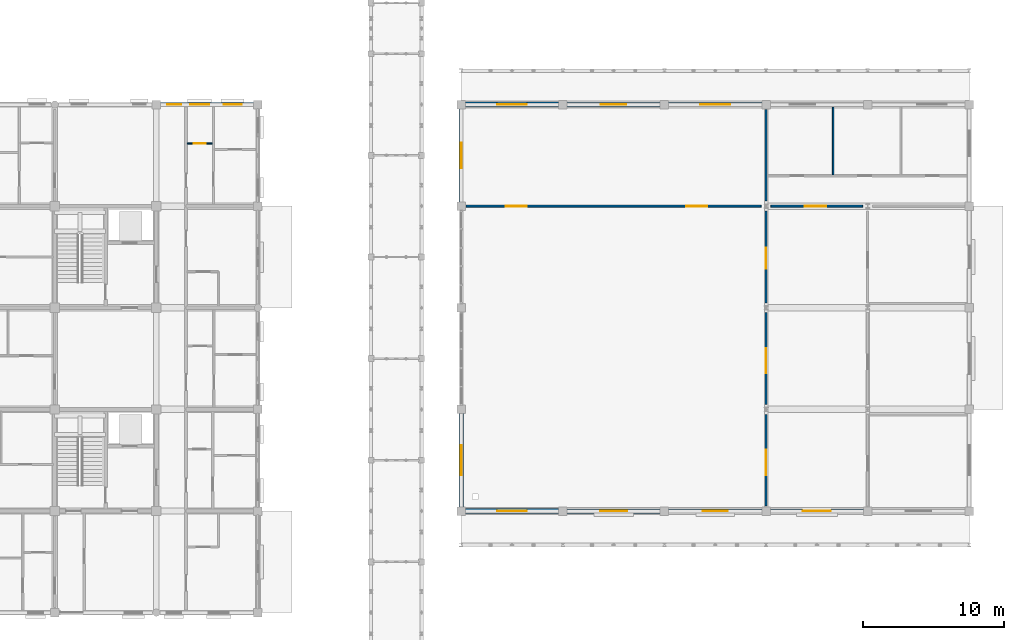
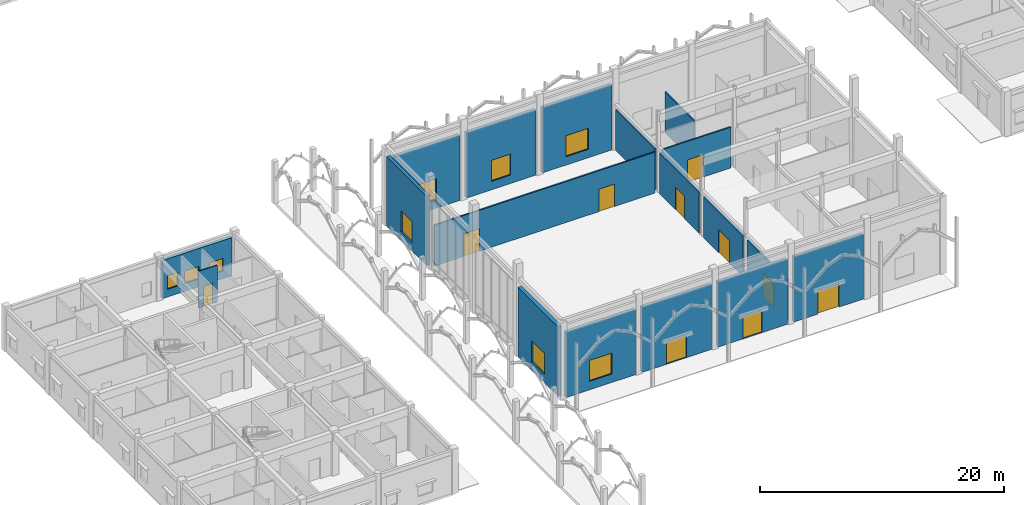
# One storey, part 108 of 138: 18 walls, 10 doors, 9 windows, 19 openings.
"""IFC4 building model written with IfcOpenShell, lengths in metres."""

from ifc_helpers import new_model, si_unit, direction, frame, frame_2d, origin, place, context, subcontext, project, spatial, rectangle, extrude, material, layer, layer_set, type_object, element, fill, save


model = new_model("IFC4")

# Units and contexts
model_context = context("Model", 3, precision=1e-05, world=origin(), true_north=direction((0.0, 1.0)))
body_context = subcontext(model_context, "Body", "Model", "MODEL_VIEW")
ifc_project = project(units=[si_unit("LENGTHUNIT", "METRE"), si_unit("AREAUNIT", "SQUARE_METRE"), si_unit("VOLUMEUNIT", "CUBIC_METRE"), si_unit("PLANEANGLEUNIT", "RADIAN"), si_unit("MASSUNIT", "GRAM", prefix="KILO"), si_unit("THERMODYNAMICTEMPERATUREUNIT", "KELVIN"), si_unit("POWERUNIT", "WATT")], contexts=[model_context])

# Site, building, storey
site_placement = place(None, origin())
site = spatial("IfcSite", under=ifc_project, at=site_placement, CompositionType="ELEMENT")
building_placement = place(site_placement, origin())
building = spatial("IfcBuilding", under=site, at=building_placement, Name="Tavuni Mirador Residences", CompositionType="ELEMENT")
storey_placement = place(building_placement, origin())
storey = spatial("IfcBuildingStorey", under=building, at=storey_placement, Name="L00", CompositionType="ELEMENT", Elevation=0.0)

# Wall, opening, window
ifc_material_1 = material(Name="Precast concrete C40/50", Category="concrete")
ifc_layer_1 = layer(ifc_material_1, 0.330078125, Name="Precast concrete C40/50", Category="concrete")
ifc_layer_set_1 = layer_set([ifc_layer_1], Name="Precast concrete C40/50")
wall_type_1 = type_object("IfcWallType", Name="WT-EXT-COR330", PredefinedType="SOLIDWALL", material=ifc_layer_set_1)
wall_1_placement = place(storey_placement, frame((39.89990234375, 72.0, 0.0), z_axis=(0.0, 0.0, 1.0), x_axis=(1.0, 0.0, 0.0)))
wall_1 = element("IfcWall", 1, at=wall_1_placement, inside=storey, type_object=wall_type_1, Name="EW-PAV-HALL-L00-S00", PredefinedType="SOLIDWALL", context=body_context, shape_type="SweptSolid", body=[
    extrude(rectangle(XDim=6.60009765625, YDim=0.330078125, at=frame_2d((3.300048828125, 0.0))), origin(), (0.0, 0.0, 1.0), 6.52490234375),
])
opening_1_placement = place(wall_1_placement, frame((2.25, 0.0, 0.85009765625)))
opening_1 = element("IfcOpeningElement", 2, at=opening_1_placement, cuts=wall_1, Name="Opening WN-32", PredefinedType="OPENING", context=body_context, shape_type="SweptSolid", body=[
    extrude(rectangle(XDim=2.10009765625, YDim=2.10009765625, at=frame_2d((1.050048828125, 1.050048828125))), frame((0.0, 0.175048828125, 0.0), z_axis=(0.0, -1.0, 0.0), x_axis=(1.0, 0.0, 0.0)), (0.0, 0.0, 1.0), 0.35009765625),
])
ifc_material_2 = material(Name="Laminated solar-control glass", Category="glass")
window_type_1 = type_object("IfcWindowType", Name="WNT-32", PartitioningType="SINGLE_PANEL", PredefinedType="WINDOW", material=ifc_material_2)
window_1_placement = place(opening_1_placement, origin())
window_1 = element("IfcWindow", 3, at=window_1_placement, inside=storey, type_object=window_type_1, Name="WIN-1829", OverallHeight=2.10009765625, OverallWidth=2.10009765625, PartitioningType="SINGLE_PANEL", PredefinedType="WINDOW", context=body_context, shape_type="SweptSolid", body=[
    extrude(rectangle(XDim=2.10009765625, YDim=2.10009765625, at=frame_2d((1.050048828125, 1.050048828125))), frame((0.0, 0.030029296875, 0.0), z_axis=(0.0, -1.0, 0.0), x_axis=(1.0, 0.0, 0.0)), (0.0, 0.0, 1.0), 0.06005859375),
])
fill(opening_1, window_1)

wall_2_placement = place(storey_placement, frame((46.5, 100.800048828125, 0.0), z_axis=(0.0, 0.0, 1.0), x_axis=(-1.0, 0.0, 0.0)))
wall_2 = element("IfcWall", 4, at=wall_2_placement, inside=storey, type_object=wall_type_1, Name="EW-PAV-HALL-L00-N00", PredefinedType="SOLIDWALL", context=body_context, shape_type="SweptSolid", body=[
    extrude(rectangle(XDim=6.60009765625, YDim=0.330078125, at=frame_2d((3.300048828125, 0.0))), origin(), (0.0, 0.0, 1.0), 6.52490234375),
])
opening_2_placement = place(wall_2_placement, frame((2.25, 0.0, 0.85009765625)))
opening_2 = element("IfcOpeningElement", 5, at=opening_2_placement, cuts=wall_2, Name="Opening WN-32", PredefinedType="OPENING", context=body_context, shape_type="SweptSolid", body=[
    extrude(rectangle(XDim=2.10009765625, YDim=2.10009765625, at=frame_2d((1.050048828125, 1.050048828125))), frame((0.0, 0.175048828125, 0.0), z_axis=(0.0, -1.0, 0.0), x_axis=(1.0, 0.0, 0.0)), (0.0, 0.0, 1.0), 0.35009765625),
])
window_2_placement = place(opening_2_placement, origin())
window_2 = element("IfcWindow", 6, at=window_2_placement, inside=storey, type_object=window_type_1, Name="WIN-1837", OverallHeight=2.10009765625, OverallWidth=2.10009765625, PartitioningType="SINGLE_PANEL", PredefinedType="WINDOW", context=body_context, shape_type="SweptSolid", body=[
    extrude(rectangle(XDim=2.10009765625, YDim=2.10009765625, at=frame_2d((1.050048828125, 1.050048828125))), frame((0.0, 0.030029296875, 0.0), z_axis=(0.0, -1.0, 0.0), x_axis=(1.0, 0.0, 0.0)), (0.0, 0.0, 1.0), 0.06005859375),
])
fill(opening_2, window_2)

wall_3_placement = place(storey_placement, frame((39.60009765625, 78.89990234375, 0.0), z_axis=(0.0, 0.0, 1.0), x_axis=(0.0, -1.0, 0.0)))
wall_3 = element("IfcWall", 7, at=wall_3_placement, inside=storey, type_object=wall_type_1, Name="EW-PAV-HALL-L00-W00", PredefinedType="SOLIDWALL", context=body_context, shape_type="SweptSolid", body=[
    extrude(rectangle(XDim=6.599853515625, YDim=0.330078125, at=frame_2d((3.2998046875, 0.0))), origin(), (0.0, 0.0, 1.0), 6.949951171875),
])
opening_3_placement = place(wall_3_placement, frame((2.25, 0.0, 0.85009765625)))
opening_3 = element("IfcOpeningElement", 8, at=opening_3_placement, cuts=wall_3, Name="Opening WN-32", PredefinedType="OPENING", context=body_context, shape_type="SweptSolid", body=[
    extrude(rectangle(XDim=2.10009765625, YDim=2.10009765625, at=frame_2d((1.050048828125, 1.050048828125))), frame((0.0, 0.175048828125, 0.0), z_axis=(0.0, -1.0, 0.0), x_axis=(1.0, 0.0, 0.0)), (0.0, 0.0, 1.0), 0.35009765625),
])
window_3_placement = place(opening_3_placement, origin())
window_3 = element("IfcWindow", 9, at=window_3_placement, inside=storey, type_object=window_type_1, Name="WIN-1839", OverallHeight=2.10009765625, OverallWidth=2.10009765625, PartitioningType="SINGLE_PANEL", PredefinedType="WINDOW", context=body_context, shape_type="SweptSolid", body=[
    extrude(rectangle(XDim=2.10009765625, YDim=2.10009765625, at=frame_2d((1.050048828125, 1.050048828125))), frame((0.0, 0.030029296875, 0.0), z_axis=(0.0, -1.0, 0.0), x_axis=(1.0, 0.0, 0.0)), (0.0, 0.0, 1.0), 0.06005859375),
])
fill(opening_3, window_3)

# Wall, opening, door
ifc_material_3 = material(Name="Sgraffito lime-rendered precast concrete C40/50", Category="concrete")
ifc_layer_2 = layer(ifc_material_3, 0.2900390625, Name="Sgraffito lime-rendered precast concrete C40/50", Category="concrete")
ifc_layer_set_2 = layer_set([ifc_layer_2], Name="Sgraffito lime-rendered precast concrete C40/50")
wall_type_2 = type_object("IfcWallType", Name="WT-EXT-PC290", PredefinedType="SOLIDWALL", material=ifc_layer_set_2)
wall_4_placement = place(storey_placement, frame((61.5, 72.0, 0.0), z_axis=(0.0, 0.0, 1.0), x_axis=(1.0, 0.0, 0.0)))
wall_4 = element("IfcWall", 10, at=wall_4_placement, inside=storey, type_object=wall_type_2, Name="EW-PAV-HALL-L00-S03", PredefinedType="SOLIDWALL", context=body_context, shape_type="SweptSolid", body=[
    extrude(rectangle(XDim=6.60009765625, YDim=0.2900390625, at=frame_2d((3.300048828125, 0.0))), origin(), (0.0, 0.0, 1.0), 6.52490234375),
])
opening_4_placement = place(wall_4_placement, frame((2.300048828125, 0.0, 0.0)))
opening_4 = element("IfcOpeningElement", 11, at=opening_4_placement, cuts=wall_4, Name="Opening EX-03", PredefinedType="OPENING", context=body_context, shape_type="SweptSolid", body=[
    extrude(rectangle(XDim=2.0, YDim=2.300048828125, at=frame_2d((1.0, 1.14990234375))), frame((0.0, 0.155029296875, 0.0), z_axis=(0.0, -1.0, 0.0), x_axis=(1.0, 0.0, 0.0)), (0.0, 0.0, 1.0), 0.31005859375),
])
ifc_material_4 = material(Name="Anodised aluminium", Category="aluminium")
door_type_1 = type_object("IfcDoorType", Name="DT-EX2000", OperationType="DOUBLE_DOOR_SINGLE_SWING", PredefinedType="DOOR", material=ifc_material_4)
door_1_placement = place(opening_4_placement, frame((2.0, 0.0, 0.0), z_axis=(0.0, 0.0, 1.0), x_axis=(-1.0, 0.0, 0.0)))
door_1 = element("IfcDoor", 12, at=door_1_placement, inside=storey, type_object=door_type_1, Name="Final exit door EX-022", OperationType="DOUBLE_DOOR_SINGLE_SWING", OverallHeight=2.300048828125, OverallWidth=2.0, PredefinedType="DOOR", context=body_context, shape_type="SweptSolid", body=[
    extrude(rectangle(XDim=2.0, YDim=2.300048828125, at=frame_2d((1.0, 1.14990234375))), frame((0.0, 0.02490234375, 0.0), z_axis=(0.0, -1.0, 0.0), x_axis=(1.0, 0.0, 0.0)), (0.0, 0.0, 1.0), 0.050048828125),
])
fill(opening_4, door_1)

# Wall, opening, window
wall_5_placement = place(storey_placement, frame((39.60009765625, 100.5, 0.0), z_axis=(0.0, 0.0, 1.0), x_axis=(0.0, -1.0, 0.0)))
wall_5 = element("IfcWall", 13, at=wall_5_placement, inside=storey, type_object=wall_type_2, Name="EW-PAV-HALL-L00-W03", PredefinedType="SOLIDWALL", context=body_context, shape_type="SweptSolid", body=[
    extrude(rectangle(XDim=6.60009765625, YDim=0.2900390625, at=frame_2d((3.300048828125, 0.0))), origin(), (0.0, 0.0, 1.0), 6.949951171875),
])
opening_5_placement = place(wall_5_placement, frame((2.39990234375, 0.0, 0.85009765625)))
opening_5 = element("IfcOpeningElement", 14, at=opening_5_placement, cuts=wall_5, Name="Opening WN-31", PredefinedType="OPENING", context=body_context, shape_type="SweptSolid", body=[
    extrude(rectangle(XDim=1.800048828125, YDim=2.10009765625, at=frame_2d((0.89990234375, 1.050048828125))), frame((0.0, 0.155029296875, 0.0), z_axis=(0.0, -1.0, 0.0), x_axis=(1.0, 0.0, 0.0)), (0.0, 0.0, 1.0), 0.31005859375),
])
window_type_2 = type_object("IfcWindowType", Name="WNT-31", PartitioningType="SINGLE_PANEL", PredefinedType="WINDOW", material=ifc_material_2)
window_4_placement = place(opening_5_placement, origin())
window_4 = element("IfcWindow", 15, at=window_4_placement, inside=storey, type_object=window_type_2, Name="WIN-1838", OverallHeight=2.10009765625, OverallWidth=1.800048828125, PartitioningType="SINGLE_PANEL", PredefinedType="WINDOW", context=body_context, shape_type="SweptSolid", body=[
    extrude(rectangle(XDim=1.800048828125, YDim=2.10009765625, at=frame_2d((0.89990234375, 1.050048828125))), frame((0.0, 0.030029296875, 0.0), z_axis=(0.0, -1.0, 0.0), x_axis=(1.0, 0.0, 0.0)), (0.0, 0.0, 1.0), 0.06005859375),
])
fill(opening_5, window_4)

# Wall, openings, windows
ifc_layer_3 = layer(ifc_material_3, 0.304931640625, Name="Sgraffito lime-rendered precast concrete C40/50", Category="concrete")
ifc_layer_set_3 = layer_set([ifc_layer_3], Name="Sgraffito lime-rendered precast concrete C40/50")
wall_type_3 = type_object("IfcWallType", Name="WT-EXT-PC305", PredefinedType="SOLIDWALL", material=ifc_layer_set_3)
wall_6_placement = place(storey_placement, frame((24.89990234375, 100.800048828125, 0.0), z_axis=(0.0, 0.0, 1.0), x_axis=(-1.0, 0.0, 0.0)))
wall_6 = element("IfcWall", 16, at=wall_6_placement, inside=storey, type_object=wall_type_3, Name="EW-BLK-B-L00-N02", PredefinedType="SOLIDWALL", context=body_context, shape_type="SweptSolid", body=[
    extrude(rectangle(XDim=6.599853515625, YDim=0.304931640625, at=frame_2d((3.2998046875, 0.0))), origin(), (0.0, 0.0, 1.0), 3.830078125),
])
opening_6_placement = place(wall_6_placement, frame((0.860107421875, 0.0, 0.780029296875)))
opening_6 = element("IfcOpeningElement", 17, at=opening_6_placement, cuts=wall_6, Name="Opening WN-14", PredefinedType="OPENING", context=body_context, shape_type="SweptSolid", body=[
    extrude(rectangle(XDim=1.280029296875, YDim=1.260009765625, at=frame_2d((0.64013671875, 0.6298828125))), frame((0.0, 0.16259765625, 0.0), z_axis=(0.0, -1.0, 0.0), x_axis=(1.0, 0.0, 0.0)), (0.0, 0.0, 1.0), 0.324951171875),
])
opening_7_placement = place(wall_6_placement, frame((3.14990234375, 0.0, 0.780029296875)))
opening_7 = element("IfcOpeningElement", 18, at=opening_7_placement, cuts=wall_6, Name="Opening WN-15", PredefinedType="OPENING", context=body_context, shape_type="SweptSolid", body=[
    extrude(rectangle(XDim=1.360107421875, YDim=1.260009765625, at=frame_2d((0.68017578125, 0.6298828125))), frame((0.0, 0.16259765625, 0.0), z_axis=(0.0, -1.0, 0.0), x_axis=(1.0, 0.0, 0.0)), (0.0, 0.0, 1.0), 0.324951171875),
])
opening_8_placement = place(wall_6_placement, frame((5.139892578125, 0.0, 0.780029296875)))
opening_8 = element("IfcOpeningElement", 19, at=opening_8_placement, cuts=wall_6, Name="Opening WN-18", PredefinedType="OPENING", context=body_context, shape_type="SweptSolid", body=[
    extrude(rectangle(XDim=0.97998046875, YDim=1.360107421875, at=frame_2d((0.489990234375, 0.68017578125))), frame((0.0, 0.16259765625, 0.0), z_axis=(0.0, -1.0, 0.0), x_axis=(1.0, 0.0, 0.0)), (0.0, 0.0, 1.0), 0.324951171875),
])
window_type_3 = type_object("IfcWindowType", Name="WNT-14", PartitioningType="SINGLE_PANEL", PredefinedType="WINDOW", material=ifc_material_2)
window_5_placement = place(opening_6_placement, origin())
window_5 = element("IfcWindow", 20, at=window_5_placement, inside=storey, type_object=window_type_3, Name="WIN-0553", OverallHeight=1.260009765625, OverallWidth=1.280029296875, PartitioningType="SINGLE_PANEL", PredefinedType="WINDOW", context=body_context, shape_type="SweptSolid", body=[
    extrude(rectangle(XDim=1.280029296875, YDim=1.260009765625, at=frame_2d((0.64013671875, 0.6298828125))), frame((0.0, 0.030029296875, 0.0), z_axis=(0.0, -1.0, 0.0), x_axis=(1.0, 0.0, 0.0)), (0.0, 0.0, 1.0), 0.06005859375),
])
fill(opening_6, window_5)
window_type_4 = type_object("IfcWindowType", Name="WNT-15", PartitioningType="SINGLE_PANEL", PredefinedType="WINDOW", material=ifc_material_2)
window_6_placement = place(opening_7_placement, origin())
window_6 = element("IfcWindow", 21, at=window_6_placement, inside=storey, type_object=window_type_4, Name="WIN-0554", OverallHeight=1.260009765625, OverallWidth=1.360107421875, PartitioningType="SINGLE_PANEL", PredefinedType="WINDOW", context=body_context, shape_type="SweptSolid", body=[
    extrude(rectangle(XDim=1.360107421875, YDim=1.260009765625, at=frame_2d((0.68017578125, 0.6298828125))), frame((0.0, 0.030029296875, 0.0), z_axis=(0.0, -1.0, 0.0), x_axis=(1.0, 0.0, 0.0)), (0.0, 0.0, 1.0), 0.06005859375),
])
fill(opening_7, window_6)
window_type_5 = type_object("IfcWindowType", Name="WNT-18", PartitioningType="SINGLE_PANEL", PredefinedType="WINDOW", material=ifc_material_2)
window_7_placement = place(opening_8_placement, origin())
window_7 = element("IfcWindow", 22, at=window_7_placement, inside=storey, type_object=window_type_5, Name="WIN-0555", OverallHeight=1.360107421875, OverallWidth=0.97998046875, PartitioningType="SINGLE_PANEL", PredefinedType="WINDOW", context=body_context, shape_type="SweptSolid", body=[
    extrude(rectangle(XDim=0.97998046875, YDim=1.360107421875, at=frame_2d((0.489990234375, 0.68017578125))), frame((0.0, 0.030029296875, 0.0), z_axis=(0.0, -1.0, 0.0), x_axis=(1.0, 0.0, 0.0)), (0.0, 0.0, 1.0), 0.06005859375),
])
fill(opening_8, window_7)

# Wall, opening, door
wall_7_placement = place(storey_placement, frame((54.300048828125, 72.0, 0.0), z_axis=(0.0, 0.0, 1.0), x_axis=(1.0, 0.0, 0.0)))
wall_7 = element("IfcWall", 23, at=wall_7_placement, inside=storey, type_object=wall_type_3, Name="EW-PAV-HALL-L00-S02", PredefinedType="SOLIDWALL", context=body_context, shape_type="SweptSolid", body=[
    extrude(rectangle(XDim=6.599853515625, YDim=0.304931640625, at=frame_2d((3.2998046875, 0.0))), origin(), (0.0, 0.0, 1.0), 6.52490234375),
])
opening_9_placement = place(wall_7_placement, frame((2.39990234375, 0.0, 0.0)))
opening_9 = element("IfcOpeningElement", 24, at=opening_9_placement, cuts=wall_7, Name="Opening EX-02", PredefinedType="OPENING", context=body_context, shape_type="SweptSolid", body=[
    extrude(rectangle(XDim=1.800048828125, YDim=2.199951171875, at=frame_2d((0.89990234375, 1.10009765625))), frame((0.0, 0.16259765625, 0.0), z_axis=(0.0, -1.0, 0.0), x_axis=(1.0, 0.0, 0.0)), (0.0, 0.0, 1.0), 0.324951171875),
])
ifc_material_5 = material(Name="Solid core iroko timber", Category="wood")
door_type_2 = type_object("IfcDoorType", Name="DT-EX1800", OperationType="DOUBLE_DOOR_SINGLE_SWING", PredefinedType="DOOR", material=ifc_material_5)
door_2_placement = place(opening_9_placement, frame((1.800048828125, 0.0, 0.0), z_axis=(0.0, 0.0, 1.0), x_axis=(-1.0, 0.0, 0.0)))
door_2 = element("IfcDoor", 25, at=door_2_placement, inside=storey, type_object=door_type_2, Name="Final exit door EX-021", OperationType="DOUBLE_DOOR_SINGLE_SWING", OverallHeight=2.199951171875, OverallWidth=1.800048828125, PredefinedType="DOOR", context=body_context, shape_type="SweptSolid", body=[
    extrude(rectangle(XDim=1.800048828125, YDim=2.199951171875, at=frame_2d((0.89990234375, 1.10009765625))), frame((0.0, 0.02490234375, 0.0), z_axis=(0.0, -1.0, 0.0), x_axis=(1.0, 0.0, 0.0)), (0.0, 0.0, 1.0), 0.050048828125),
])
fill(opening_9, door_2)

# Wall, opening, window
wall_8_placement = place(storey_placement, frame((60.89990234375, 100.800048828125, 0.0), z_axis=(0.0, 0.0, 1.0), x_axis=(-1.0, 0.0, 0.0)))
wall_8 = element("IfcWall", 26, at=wall_8_placement, inside=storey, type_object=wall_type_3, Name="EW-PAV-HALL-L00-N02", PredefinedType="SOLIDWALL", context=body_context, shape_type="SweptSolid", body=[
    extrude(rectangle(XDim=6.599853515625, YDim=0.304931640625, at=frame_2d((3.2998046875, 0.0))), origin(), (0.0, 0.0, 1.0), 6.52490234375),
])
opening_10_placement = place(wall_8_placement, frame((2.25, 0.0, 0.85009765625)))
opening_10 = element("IfcOpeningElement", 27, at=opening_10_placement, cuts=wall_8, Name="Opening WN-32", PredefinedType="OPENING", context=body_context, shape_type="SweptSolid", body=[
    extrude(rectangle(XDim=2.10009765625, YDim=2.10009765625, at=frame_2d((1.050048828125, 1.050048828125))), frame((0.0, 0.16259765625, 0.0), z_axis=(0.0, -1.0, 0.0), x_axis=(1.0, 0.0, 0.0)), (0.0, 0.0, 1.0), 0.324951171875),
])
window_8_placement = place(opening_10_placement, origin())
window_8 = element("IfcWindow", 28, at=window_8_placement, inside=storey, type_object=window_type_1, Name="WIN-1835", OverallHeight=2.10009765625, OverallWidth=2.10009765625, PartitioningType="SINGLE_PANEL", PredefinedType="WINDOW", context=body_context, shape_type="SweptSolid", body=[
    extrude(rectangle(XDim=2.10009765625, YDim=2.10009765625, at=frame_2d((1.050048828125, 1.050048828125))), frame((0.0, 0.030029296875, 0.0), z_axis=(0.0, -1.0, 0.0), x_axis=(1.0, 0.0, 0.0)), (0.0, 0.0, 1.0), 0.06005859375),
])
fill(opening_10, window_8)

# Wall, opening, door
ifc_layer_4 = layer(ifc_material_3, 0.31494140625, Name="Sgraffito lime-rendered precast concrete C40/50", Category="concrete")
ifc_layer_set_4 = layer_set([ifc_layer_4], Name="Sgraffito lime-rendered precast concrete C40/50")
wall_type_4 = type_object("IfcWallType", Name="WT-EXT-PC315", PredefinedType="SOLIDWALL", material=ifc_layer_set_4)
wall_9_placement = place(storey_placement, frame((47.10009765625, 72.0, 0.0), z_axis=(0.0, 0.0, 1.0), x_axis=(1.0, 0.0, 0.0)))
wall_9 = element("IfcWall", 29, at=wall_9_placement, inside=storey, type_object=wall_type_4, Name="EW-PAV-HALL-L00-S01", PredefinedType="SOLIDWALL", context=body_context, shape_type="SweptSolid", body=[
    extrude(rectangle(XDim=6.599853515625, YDim=0.31494140625, at=frame_2d((3.2998046875, 0.0))), origin(), (0.0, 0.0, 1.0), 6.52490234375),
])
opening_11_placement = place(wall_9_placement, frame((2.35009765625, 0.0, 0.0)))
opening_11 = element("IfcOpeningElement", 30, at=opening_11_placement, cuts=wall_9, Name="Opening EX-01", PredefinedType="OPENING", context=body_context, shape_type="SweptSolid", body=[
    extrude(rectangle(XDim=1.89990234375, YDim=2.199951171875, at=frame_2d((0.949951171875, 1.10009765625))), frame((0.0, 0.16748046875, 0.0), z_axis=(0.0, -1.0, 0.0), x_axis=(1.0, 0.0, 0.0)), (0.0, 0.0, 1.0), 0.3349609375),
])
door_type_3 = type_object("IfcDoorType", Name="DT-EX1900", OperationType="DOUBLE_DOOR_SINGLE_SWING", PredefinedType="DOOR", material=ifc_material_5)
door_3_placement = place(opening_11_placement, frame((1.89990234375, 0.0, 0.0), z_axis=(0.0, 0.0, 1.0), x_axis=(-1.0, 0.0, 0.0)))
door_3 = element("IfcDoor", 31, at=door_3_placement, inside=storey, type_object=door_type_3, Name="Final exit door EX-020", OperationType="DOUBLE_DOOR_SINGLE_SWING", OverallHeight=2.199951171875, OverallWidth=1.89990234375, PredefinedType="DOOR", context=body_context, shape_type="SweptSolid", body=[
    extrude(rectangle(XDim=1.89990234375, YDim=2.199951171875, at=frame_2d((0.949951171875, 1.10009765625))), frame((0.0, 0.02490234375, 0.0), z_axis=(0.0, -1.0, 0.0), x_axis=(1.0, 0.0, 0.0)), (0.0, 0.0, 1.0), 0.050048828125),
])
fill(opening_11, door_3)

# Wall, opening, window
wall_10_placement = place(storey_placement, frame((53.699951171875, 100.800048828125, 0.0), z_axis=(0.0, 0.0, 1.0), x_axis=(-1.0, 0.0, 0.0)))
wall_10 = element("IfcWall", 32, at=wall_10_placement, inside=storey, type_object=wall_type_4, Name="EW-PAV-HALL-L00-N01", PredefinedType="SOLIDWALL", context=body_context, shape_type="SweptSolid", body=[
    extrude(rectangle(XDim=6.599853515625, YDim=0.31494140625, at=frame_2d((3.2998046875, 0.0))), origin(), (0.0, 0.0, 1.0), 6.52490234375),
])
opening_12_placement = place(wall_10_placement, frame((2.39990234375, 0.0, 0.85009765625)))
opening_12 = element("IfcOpeningElement", 33, at=opening_12_placement, cuts=wall_10, Name="Opening WN-31", PredefinedType="OPENING", context=body_context, shape_type="SweptSolid", body=[
    extrude(rectangle(XDim=1.800048828125, YDim=2.10009765625, at=frame_2d((0.89990234375, 1.050048828125))), frame((0.0, 0.16748046875, 0.0), z_axis=(0.0, -1.0, 0.0), x_axis=(1.0, 0.0, 0.0)), (0.0, 0.0, 1.0), 0.3349609375),
])
window_9_placement = place(opening_12_placement, origin())
window_9 = element("IfcWindow", 34, at=window_9_placement, inside=storey, type_object=window_type_2, Name="WIN-1836", OverallHeight=2.10009765625, OverallWidth=1.800048828125, PartitioningType="SINGLE_PANEL", PredefinedType="WINDOW", context=body_context, shape_type="SweptSolid", body=[
    extrude(rectangle(XDim=1.800048828125, YDim=2.10009765625, at=frame_2d((0.89990234375, 1.050048828125))), frame((0.0, 0.030029296875, 0.0), z_axis=(0.0, -1.0, 0.0), x_axis=(1.0, 0.0, 0.0)), (0.0, 0.0, 1.0), 0.06005859375),
])
fill(opening_12, window_9)

# Wall, opening, door
ifc_material_6 = material(Name="Acoustic gypsum and concrete block partition", Category="concrete")
ifc_layer_5 = layer(ifc_material_6, 0.094970703125, Name="Acoustic gypsum and concrete block partition", Category="concrete")
ifc_layer_set_5 = layer_set([ifc_layer_5], Name="Acoustic gypsum and concrete block partition")
wall_type_5 = type_object("IfcWallType", Name="WT-PART095", PredefinedType="PARTITIONING", material=ifc_layer_set_5)
wall_11_placement = place(storey_placement, frame((20.18994140625, 98.0400390625, 0.0), z_axis=(0.0, 0.0, 1.0), x_axis=(1.0, 0.0, 0.0)))
wall_11 = element("IfcWall", 35, at=wall_11_placement, inside=storey, type_object=wall_type_5, Name="PW-BLK-B-L00-E04-IN1", PredefinedType="PARTITIONING", context=body_context, shape_type="SweptSolid", body=[
    extrude(rectangle(XDim=1.780029296875, YDim=0.094970703125, at=frame_2d((0.89013671875, 0.0))), origin(), (0.0, 0.0, 1.0), 3.695068359375),
])
opening_13_placement = place(wall_11_placement, frame((0.455078125, 0.0, 0.0)))
opening_13 = element("IfcOpeningElement", 36, at=opening_13_placement, cuts=wall_11, Name="Opening D-10", PredefinedType="OPENING", context=body_context, shape_type="SweptSolid", body=[
    extrude(rectangle(XDim=0.8701171875, YDim=2.050048828125, at=frame_2d((0.43505859375, 1.02490234375))), frame((0.0, 0.0576171875, 0.0), z_axis=(0.0, -1.0, 0.0), x_axis=(1.0, 0.0, 0.0)), (0.0, 0.0, 1.0), 0.114990234375),
])
door_type_4 = type_object("IfcDoorType", Name="DT-WC870", OperationType="NOTDEFINED", PredefinedType="DOOR", material=ifc_material_5)
door_4_placement = place(opening_13_placement, origin())
door_4 = element("IfcDoor", 37, at=door_4_placement, inside=storey, type_object=door_type_4, Name="DR-3444", OperationType="SINGLE_SWING_LEFT", OverallHeight=2.050048828125, OverallWidth=0.8701171875, PredefinedType="DOOR", context=body_context, shape_type="SweptSolid", body=[
    extrude(rectangle(XDim=0.8701171875, YDim=2.050048828125, at=frame_2d((0.43505859375, 1.02490234375))), frame((0.0, 0.02490234375, 0.0), z_axis=(0.0, -1.0, 0.0), x_axis=(1.0, 0.0, 0.0)), (0.0, 0.0, 1.0), 0.050048828125),
])
fill(opening_13, door_4)

# Wall
ifc_layer_6 = layer(ifc_material_6, 0.114990234375, Name="Acoustic gypsum and concrete block partition", Category="concrete")
ifc_layer_set_6 = layer_set([ifc_layer_6], Name="Acoustic gypsum and concrete block partition")
wall_type_6 = type_object("IfcWallType", Name="WT-PART115", PredefinedType="PARTITIONING", material=ifc_layer_set_6)
wall_12_placement = place(storey_placement, frame((65.949951171875, 95.820068359375, 0.0), z_axis=(0.0, 0.0, 1.0), x_axis=(0.0, 1.0, 0.0)))
element("IfcWall", 38, at=wall_12_placement, inside=storey, type_object=wall_type_6, Name="PW-HALL-WC-1", PredefinedType="PARTITIONING", context=body_context, shape_type="SweptSolid", body=[
    extrude(rectangle(XDim=4.804931640625, YDim=0.114990234375, at=frame_2d((2.40234375, 0.0))), origin(), (0.0, 0.0, 1.0), 4.10009765625),
])

# Wall, openings, doors
ifc_layer_7 = layer(ifc_material_6, 0.139892578125, Name="Acoustic gypsum and concrete block partition", Category="concrete")
ifc_layer_set_7 = layer_set([ifc_layer_7], Name="Acoustic gypsum and concrete block partition")
wall_type_7 = type_object("IfcWallType", Name="WT-PART140", PredefinedType="PARTITIONING", material=ifc_layer_set_7)
wall_13_placement = place(storey_placement, frame((39.949951171875, 93.60009765625, 0.0), z_axis=(0.0, 0.0, 1.0), x_axis=(1.0, 0.0, 0.0)))
wall_13 = element("IfcWall", 39, at=wall_13_placement, inside=storey, type_object=wall_type_7, Name="PW-HALL-STG", PredefinedType="PARTITIONING", context=body_context, shape_type="SweptSolid", body=[
    extrude(rectangle(XDim=20.900146484375, YDim=0.139892578125, at=frame_2d((10.4501953125, 0.0))), origin(), (0.0, 0.0, 1.0), 4.10009765625),
])
opening_14_placement = place(wall_13_placement, frame((2.800048828125, 0.0, 0.0)))
opening_14 = element("IfcOpeningElement", 40, at=opening_14_placement, cuts=wall_13, Name="Opening D-12", PredefinedType="OPENING", context=body_context, shape_type="SweptSolid", body=[
    extrude(rectangle(XDim=1.5, YDim=2.25, at=frame_2d((0.75, 1.125))), frame((0.0, 0.080078125, 0.0), z_axis=(0.0, -1.0, 0.0), x_axis=(1.0, 0.0, 0.0)), (0.0, 0.0, 1.0), 0.159912109375),
])
opening_15_placement = place(wall_13_placement, frame((15.60009765625, 0.0, 0.0)))
opening_15 = element("IfcOpeningElement", 41, at=opening_15_placement, cuts=wall_13, Name="Opening D-12", PredefinedType="OPENING", context=body_context, shape_type="SweptSolid", body=[
    extrude(rectangle(XDim=1.5, YDim=2.25, at=frame_2d((0.75, 1.125))), frame((0.0, 0.080078125, 0.0), z_axis=(0.0, -1.0, 0.0), x_axis=(1.0, 0.0, 0.0)), (0.0, 0.0, 1.0), 0.159912109375),
])
door_type_5 = type_object("IfcDoorType", Name="DT-HAL1500", OperationType="DOUBLE_DOOR_SINGLE_SWING", PredefinedType="DOOR", material=ifc_material_5)
door_5_placement = place(opening_14_placement, origin())
door_5 = element("IfcDoor", 42, at=door_5_placement, inside=storey, type_object=door_type_5, Name="DR-4783", OperationType="DOUBLE_DOOR_SINGLE_SWING", OverallHeight=2.25, OverallWidth=1.5, PredefinedType="DOOR", context=body_context, shape_type="SweptSolid", body=[
    extrude(rectangle(XDim=1.5, YDim=2.25, at=frame_2d((0.75, 1.125))), frame((0.0, 0.02490234375, 0.0), z_axis=(0.0, -1.0, 0.0), x_axis=(1.0, 0.0, 0.0)), (0.0, 0.0, 1.0), 0.050048828125),
])
fill(opening_14, door_5)
door_6_placement = place(opening_15_placement, origin())
door_6 = element("IfcDoor", 43, at=door_6_placement, inside=storey, type_object=door_type_5, Name="DR-4784", OperationType="DOUBLE_DOOR_SINGLE_SWING", OverallHeight=2.25, OverallWidth=1.5, PredefinedType="DOOR", context=body_context, shape_type="SweptSolid", body=[
    extrude(rectangle(XDim=1.5, YDim=2.25, at=frame_2d((0.75, 1.125))), frame((0.0, 0.02490234375, 0.0), z_axis=(0.0, -1.0, 0.0), x_axis=(1.0, 0.0, 0.0)), (0.0, 0.0, 1.0), 0.050048828125),
])
fill(opening_15, door_6)

# Wall, opening, door
wall_14_placement = place(storey_placement, frame((61.550048828125, 93.60009765625, 0.0), z_axis=(0.0, 0.0, 1.0), x_axis=(1.0, 0.0, 0.0)))
wall_14 = element("IfcWall", 44, at=wall_14_placement, inside=storey, type_object=wall_type_7, Name="PW-HALL-WC-FOY", PredefinedType="PARTITIONING", context=body_context, shape_type="SweptSolid", body=[
    extrude(rectangle(XDim=6.5, YDim=0.139892578125, at=frame_2d((3.25, 0.0))), origin(), (0.0, 0.0, 1.0), 4.10009765625),
])
opening_16_placement = place(wall_14_placement, frame((2.39990234375, 0.0, 0.0)))
opening_16 = element("IfcOpeningElement", 45, at=opening_16_placement, cuts=wall_14, Name="Opening D-12", PredefinedType="OPENING", context=body_context, shape_type="SweptSolid", body=[
    extrude(rectangle(XDim=1.5, YDim=2.25, at=frame_2d((0.75, 1.125))), frame((0.0, 0.080078125, 0.0), z_axis=(0.0, -1.0, 0.0), x_axis=(1.0, 0.0, 0.0)), (0.0, 0.0, 1.0), 0.159912109375),
])
door_7_placement = place(opening_16_placement, origin())
door_7 = element("IfcDoor", 46, at=door_7_placement, inside=storey, type_object=door_type_5, Name="DR-4788", OperationType="DOUBLE_DOOR_SINGLE_SWING", OverallHeight=2.25, OverallWidth=1.5, PredefinedType="DOOR", context=body_context, shape_type="SweptSolid", body=[
    extrude(rectangle(XDim=1.5, YDim=2.25, at=frame_2d((0.75, 1.125))), frame((0.0, 0.02490234375, 0.0), z_axis=(0.0, -1.0, 0.0), x_axis=(1.0, 0.0, 0.0)), (0.0, 0.0, 1.0), 0.050048828125),
])
fill(opening_16, door_7)

ifc_layer_8 = layer(ifc_material_6, 0.14990234375, Name="Acoustic gypsum and concrete block partition", Category="concrete")
ifc_layer_set_8 = layer_set([ifc_layer_8], Name="Acoustic gypsum and concrete block partition")
wall_type_8 = type_object("IfcWallType", Name="WT-PART150", PredefinedType="PARTITIONING", material=ifc_layer_set_8)
wall_15_placement = place(storey_placement, frame((61.199951171875, 72.35009765625, 0.0), z_axis=(0.0, 0.0, 1.0), x_axis=(0.0, 1.0, 0.0)))
wall_15 = element("IfcWall", 47, at=wall_15_placement, inside=storey, type_object=wall_type_8, Name="PW-HALL-SPINE-S", PredefinedType="PARTITIONING", context=body_context, shape_type="SweptSolid", body=[
    extrude(rectangle(XDim=6.5, YDim=0.14990234375, at=frame_2d((3.25, 0.0))), origin(), (0.0, 0.0, 1.0), 4.10009765625),
])
opening_17_placement = place(wall_15_placement, frame((2.199951171875, 0.0, 0.0)))
opening_17 = element("IfcOpeningElement", 48, at=opening_17_placement, cuts=wall_15, Name="Opening D-11", PredefinedType="OPENING", context=body_context, shape_type="SweptSolid", body=[
    extrude(rectangle(XDim=1.800048828125, YDim=2.300048828125, at=frame_2d((0.89990234375, 1.14990234375))), frame((0.0, 0.0849609375, 0.0), z_axis=(0.0, -1.0, 0.0), x_axis=(1.0, 0.0, 0.0)), (0.0, 0.0, 1.0), 0.169921875),
])
door_type_6 = type_object("IfcDoorType", Name="DT-HAL1800", OperationType="DOUBLE_DOOR_SINGLE_SWING", PredefinedType="DOOR", material=ifc_material_5)
door_8_placement = place(opening_17_placement, origin())
door_8 = element("IfcDoor", 49, at=door_8_placement, inside=storey, type_object=door_type_6, Name="DR-4780", OperationType="DOUBLE_DOOR_SINGLE_SWING", OverallHeight=2.300048828125, OverallWidth=1.800048828125, PredefinedType="DOOR", context=body_context, shape_type="SweptSolid", body=[
    extrude(rectangle(XDim=1.800048828125, YDim=2.300048828125, at=frame_2d((0.89990234375, 1.14990234375))), frame((0.0, 0.02490234375, 0.0), z_axis=(0.0, -1.0, 0.0), x_axis=(1.0, 0.0, 0.0)), (0.0, 0.0, 1.0), 0.050048828125),
])
fill(opening_17, door_8)

wall_16_placement = place(storey_placement, frame((61.199951171875, 79.550048828125, 0.0), z_axis=(0.0, 0.0, 1.0), x_axis=(0.0, 1.0, 0.0)))
wall_16 = element("IfcWall", 50, at=wall_16_placement, inside=storey, type_object=wall_type_8, Name="PW-HALL-SPINE-M", PredefinedType="PARTITIONING", context=body_context, shape_type="SweptSolid", body=[
    extrude(rectangle(XDim=6.5, YDim=0.14990234375, at=frame_2d((3.25, 0.0))), origin(), (0.0, 0.0, 1.0), 4.10009765625),
])
opening_18_placement = place(wall_16_placement, frame((2.199951171875, 0.0, 0.0)))
opening_18 = element("IfcOpeningElement", 51, at=opening_18_placement, cuts=wall_16, Name="Opening D-11", PredefinedType="OPENING", context=body_context, shape_type="SweptSolid", body=[
    extrude(rectangle(XDim=1.800048828125, YDim=2.300048828125, at=frame_2d((0.89990234375, 1.14990234375))), frame((0.0, 0.0849609375, 0.0), z_axis=(0.0, -1.0, 0.0), x_axis=(1.0, 0.0, 0.0)), (0.0, 0.0, 1.0), 0.169921875),
])
door_9_placement = place(opening_18_placement, origin())
door_9 = element("IfcDoor", 52, at=door_9_placement, inside=storey, type_object=door_type_6, Name="DR-4781", OperationType="DOUBLE_DOOR_SINGLE_SWING", OverallHeight=2.300048828125, OverallWidth=1.800048828125, PredefinedType="DOOR", context=body_context, shape_type="SweptSolid", body=[
    extrude(rectangle(XDim=1.800048828125, YDim=2.300048828125, at=frame_2d((0.89990234375, 1.14990234375))), frame((0.0, 0.02490234375, 0.0), z_axis=(0.0, -1.0, 0.0), x_axis=(1.0, 0.0, 0.0)), (0.0, 0.0, 1.0), 0.050048828125),
])
fill(opening_18, door_9)

wall_17_placement = place(storey_placement, frame((61.199951171875, 86.75, 0.0), z_axis=(0.0, 0.0, 1.0), x_axis=(0.0, 1.0, 0.0)))
wall_17 = element("IfcWall", 53, at=wall_17_placement, inside=storey, type_object=wall_type_8, Name="PW-HALL-SPINE-N", PredefinedType="PARTITIONING", context=body_context, shape_type="SweptSolid", body=[
    extrude(rectangle(XDim=6.5, YDim=0.14990234375, at=frame_2d((3.25, 0.0))), origin(), (0.0, 0.0, 1.0), 4.10009765625),
])
opening_19_placement = place(wall_17_placement, frame((2.39990234375, 0.0, 0.0)))
opening_19 = element("IfcOpeningElement", 54, at=opening_19_placement, cuts=wall_17, Name="Opening D-12", PredefinedType="OPENING", context=body_context, shape_type="SweptSolid", body=[
    extrude(rectangle(XDim=1.5, YDim=2.25, at=frame_2d((0.75, 1.125))), frame((0.0, 0.0849609375, 0.0), z_axis=(0.0, -1.0, 0.0), x_axis=(1.0, 0.0, 0.0)), (0.0, 0.0, 1.0), 0.169921875),
])
door_10_placement = place(opening_19_placement, origin())
door_10 = element("IfcDoor", 55, at=door_10_placement, inside=storey, type_object=door_type_5, Name="DR-4782", OperationType="DOUBLE_DOOR_SINGLE_SWING", OverallHeight=2.25, OverallWidth=1.5, PredefinedType="DOOR", context=body_context, shape_type="SweptSolid", body=[
    extrude(rectangle(XDim=1.5, YDim=2.25, at=frame_2d((0.75, 1.125))), frame((0.0, 0.02490234375, 0.0), z_axis=(0.0, -1.0, 0.0), x_axis=(1.0, 0.0, 0.0)), (0.0, 0.0, 1.0), 0.050048828125),
])
fill(opening_19, door_10)

# Wall
wall_18_placement = place(storey_placement, frame((61.199951171875, 93.949951171875, 0.0), z_axis=(0.0, 0.0, 1.0), x_axis=(0.0, 1.0, 0.0)))
element("IfcWall", 56, at=wall_18_placement, inside=storey, type_object=wall_type_8, Name="PW-HALL-SPINE-W", PredefinedType="PARTITIONING", context=body_context, shape_type="SweptSolid", body=[
    extrude(rectangle(XDim=6.5, YDim=0.14990234375, at=frame_2d((3.25, 0.0))), origin(), (0.0, 0.0, 1.0), 4.10009765625),
])

save(model, "model.ifc")
